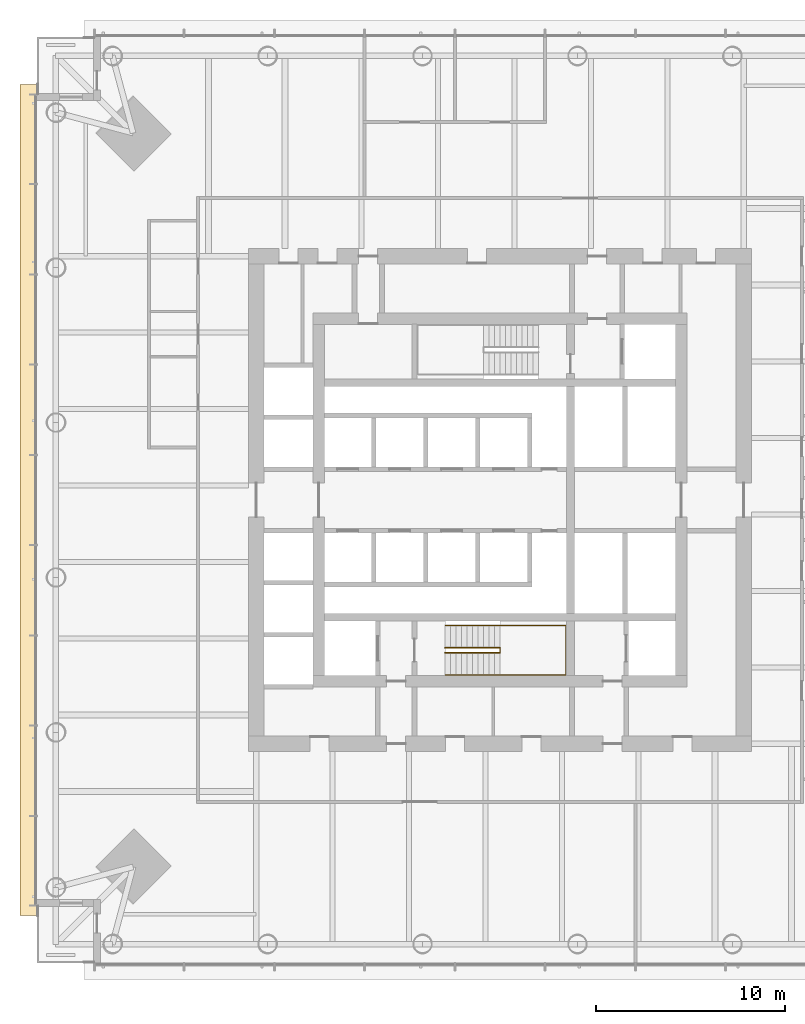
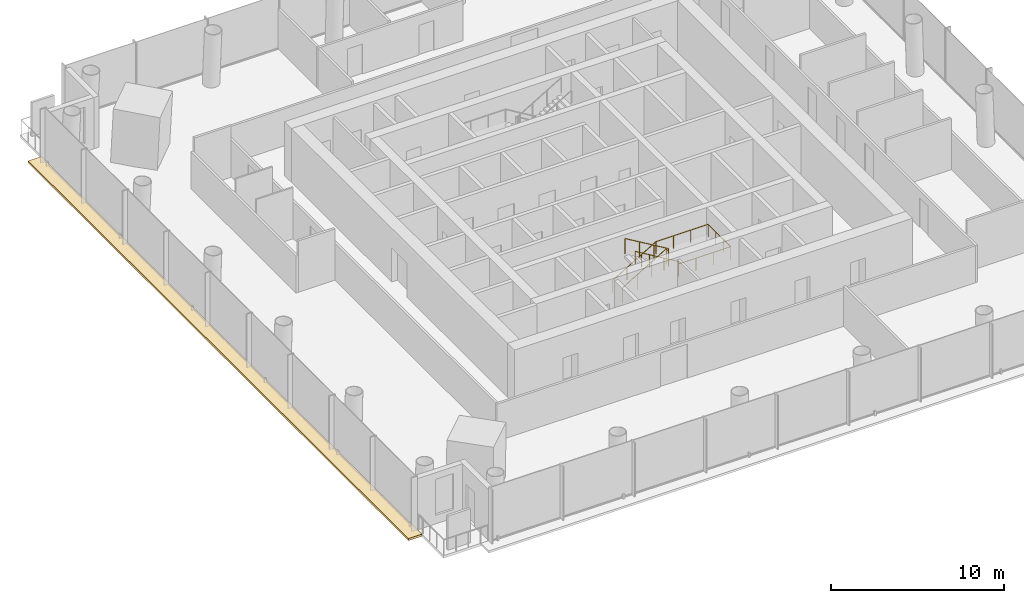
# One storey, part 23 of 26: 2 railings, 1 covering.
"""IFC4 building model written with IfcOpenShell, lengths in metres."""

from ifc_helpers import new_model, si_unit, direction, frame, origin, origin_2d, place, context, subcontext, project, spatial, polyline, circle, outline, extrude, material, layer, layer_set, type_object, element, save


model = new_model("IFC4")

# Units and contexts
model_context = context("Model", 3, precision=1e-05, world=origin(), true_north=direction((0.0, 1.0)))
body_context = subcontext(model_context, "Body", "Model", "MODEL_VIEW")
ifc_project = project(units=[si_unit("LENGTHUNIT", "METRE"), si_unit("AREAUNIT", "SQUARE_METRE"), si_unit("VOLUMEUNIT", "CUBIC_METRE"), si_unit("PLANEANGLEUNIT", "RADIAN"), si_unit("MASSUNIT", "GRAM", prefix="KILO")], contexts=[model_context])

# Site, building, storey
site_placement = place(None, origin())
site = spatial("IfcSite", under=ifc_project, at=site_placement, CompositionType="ELEMENT")
building_placement = place(site_placement, origin())
building = spatial("IfcBuilding", under=site, at=building_placement, Name="Ostroluk Exchange", CompositionType="ELEMENT")
storey_placement = place(building_placement, frame((0.0, 0.0, 36.199951171875)))
storey = spatial("IfcBuildingStorey", under=building, at=storey_placement, Name="L08", CompositionType="ELEMENT", Elevation=36.199951171875)

# Covering
ifc_material_1 = material(Name="Insulated steel roof deck with membrane, laid to falls, aluminium coping", Category="steel")
ifc_layer = layer(ifc_material_1, 0.14990234375)
ifc_layer_set = layer_set([ifc_layer], Name="Setback maintenance roof")
covering_type = type_object("IfcCoveringType", Name="Setback maintenance roof", PredefinedType="ROOFING", material=ifc_layer_set)
covering_placement = place(storey_placement, frame((0.0, 0.0, -0.14990234375)))
element("IfcCovering", 1, at=covering_placement, inside=storey, type_object=covering_type, Name="Maintenance roof, setback L08 west", PredefinedType="ROOFING", context=body_context, shape_type="SweptSolid", body=[
    extrude(outline(polyline([(19.60009765625, 68.0), (20.5, 68.0), (20.5, 24.0), (19.60009765625, 24.0), (19.60009765625, 68.0)])), origin(), (0.0, 0.0, 1.0), 0.14990234375),
])

# Railings
ifc_material_2 = material(Name="Steel S355", Category="steel")
railing_type_1 = type_object("IfcRailingType", Name="Stair guard 1100", PredefinedType="GUARDRAIL", material=ifc_material_2)
railing_1_placement = place(storey_placement, frame((42.10009765625, 38.179931640625, 0.1728515625)))
element("IfcRailing", 2, at=railing_1_placement, inside=storey, type_object=railing_type_1, Name="Stair T1-S1 guard L08", PredefinedType="GUARDRAIL", context=body_context, shape_type="SweptSolid", body=[
    extrude(circle(Radius=0.02392578125, at=origin_2d()), frame((0.0, 0.0, 1.076171875), z_axis=(0.859141464434, 0.0, 0.511738159696), x_axis=(0.0, 1.0, 0.0)), (0.0, 0.0, 1.0), 3.375244140625),
    extrude(circle(Radius=0.02392578125, at=origin_2d()), frame((2.89990234375, 0.0, 2.80322265625), z_axis=(0.0, -1.0, 0.0), x_axis=(1.0, 0.0, 0.0)), (0.0, 0.0, 1.0), 0.260009765625),
    extrude(circle(Radius=0.02392578125, at=origin_2d()), frame((2.89990234375, -0.260009765625, 2.80322265625), z_axis=(0.0, 0.0, 1.0), x_axis=(1.0, 0.0, 0.0)), (0.0, 0.0, 1.0), 0.172607421875),
    extrude(circle(Radius=0.02392578125, at=origin_2d()), frame((2.89990234375, -0.260009765625, 2.97607421875), z_axis=(-0.859141464434, 0.0, 0.511738159696), x_axis=(0.0, -1.0, 0.0)), (0.0, 0.0, 1.0), 3.375244140625),
    extrude(circle(Radius=0.02099609375, at=origin_2d()), origin(), (0.0, 0.0, 1.0), 1.052001953125),
    extrude(circle(Radius=0.02099609375, at=origin_2d()), frame((0.966552734375, 0.0, 0.57568359375)), (0.0, 0.0, 1.0), 1.052001953125),
    extrude(circle(Radius=0.02099609375, at=origin_2d()), frame((1.933349609375, 0.0, 1.151611328125)), (0.0, 0.0, 1.0), 1.052001953125),
    extrude(circle(Radius=0.02099609375, at=origin_2d()), frame((2.89990234375, 0.0, 1.727294921875)), (0.0, 0.0, 1.0), 1.052001953125),
    extrude(circle(Radius=0.02099609375, at=origin_2d()), frame((2.89990234375, -0.260009765625, 1.727294921875)), (0.0, 0.0, 1.0), 1.052001953125),
    extrude(circle(Radius=0.02099609375, at=origin_2d()), frame((2.89990234375, -0.260009765625, 1.89990234375)), (0.0, 0.0, 1.0), 1.052001953125),
    extrude(circle(Radius=0.02099609375, at=origin_2d()), frame((1.933349609375, -0.260009765625, 2.4755859375)), (0.0, 0.0, 1.0), 1.052001953125),
    extrude(circle(Radius=0.02099609375, at=origin_2d()), frame((0.966552734375, -0.260009765625, 3.051513671875)), (0.0, 0.0, 1.0), 1.052001953125),
    extrude(circle(Radius=0.02099609375, at=origin_2d()), frame((0.0, -0.260009765625, 3.627197265625)), (0.0, 0.0, 1.0), 1.052001953125),
])
ifc_material_3 = material(Name="Stainless steel", Category="steel")
railing_type_2 = type_object("IfcRailingType", Name="Stair handrail 900", PredefinedType="HANDRAIL", material=ifc_material_3)
railing_2_placement = place(storey_placement, frame((42.10009765625, 39.35009765625, 0.1728515625)))
element("IfcRailing", 3, at=railing_2_placement, inside=storey, type_object=railing_type_2, Name="Stair T1-S1 handrail L08", PredefinedType="HANDRAIL", context=body_context, shape_type="SweptSolid", body=[
    extrude(circle(Radius=0.02392578125, at=origin_2d()), frame((0.0, 0.0, 0.8759765625), z_axis=(0.859141464434, 0.0, 0.511738159696), x_axis=(0.0, 1.0, 0.0)), (0.0, 0.0, 1.0), 3.375244140625),
    extrude(circle(Radius=0.02392578125, at=origin_2d()), frame((2.89990234375, 0.0, 2.60302734375), z_axis=(1.0, 0.0, 0.0), x_axis=(0.0, 1.0, 0.0)), (0.0, 0.0, 1.0), 3.47998046875),
    extrude(circle(Radius=0.02392578125, at=origin_2d()), frame((6.3798828125, 0.0, 2.60302734375), z_axis=(0.0, -1.0, 0.0), x_axis=(1.0, 0.0, 0.0)), (0.0, 0.0, 1.0), 2.60009765625),
    extrude(circle(Radius=0.02392578125, at=origin_2d()), frame((6.3798828125, -2.60009765625, 2.60302734375), z_axis=(-1.0, 0.0, 0.0), x_axis=(0.0, -1.0, 0.0)), (0.0, 0.0, 1.0), 3.47998046875),
    extrude(circle(Radius=0.02392578125, at=origin_2d()), frame((2.89990234375, -2.60009765625, 2.60302734375), z_axis=(0.0, 0.0, 1.0), x_axis=(1.0, 0.0, 0.0)), (0.0, 0.0, 1.0), 0.172607421875),
    extrude(circle(Radius=0.02392578125, at=origin_2d()), frame((2.89990234375, -2.60009765625, 2.77587890625), z_axis=(-0.859141464434, 0.0, 0.511738159696), x_axis=(0.0, -1.0, 0.0)), (0.0, 0.0, 1.0), 3.375244140625),
    extrude(circle(Radius=0.02099609375, at=origin_2d()), origin(), (0.0, 0.0, 1.0), 0.851806640625),
    extrude(circle(Radius=0.02099609375, at=origin_2d()), frame((0.966552734375, 0.0, 0.57568359375)), (0.0, 0.0, 1.0), 0.851806640625),
    extrude(circle(Radius=0.02099609375, at=origin_2d()), frame((1.933349609375, 0.0, 1.151611328125)), (0.0, 0.0, 1.0), 0.851806640625),
    extrude(circle(Radius=0.02099609375, at=origin_2d()), frame((2.89990234375, 0.0, 1.727294921875)), (0.0, 0.0, 1.0), 0.851806640625),
    extrude(circle(Radius=0.02099609375, at=origin_2d()), frame((4.059814453125, 0.0, 1.727294921875)), (0.0, 0.0, 1.0), 0.851806640625),
    extrude(circle(Radius=0.02099609375, at=origin_2d()), frame((5.219970703125, 0.0, 1.727294921875)), (0.0, 0.0, 1.0), 0.851806640625),
    extrude(circle(Radius=0.02099609375, at=origin_2d()), frame((6.3798828125, 0.0, 1.727294921875)), (0.0, 0.0, 1.0), 0.851806640625),
    extrude(circle(Radius=0.02099609375, at=origin_2d()), frame((6.3798828125, -0.86669921875, 1.727294921875)), (0.0, 0.0, 1.0), 0.851806640625),
    extrude(circle(Radius=0.02099609375, at=origin_2d()), frame((6.3798828125, -1.7333984375, 1.727294921875)), (0.0, 0.0, 1.0), 0.851806640625),
    extrude(circle(Radius=0.02099609375, at=origin_2d()), frame((6.3798828125, -2.60009765625, 1.727294921875)), (0.0, 0.0, 1.0), 0.851806640625),
    extrude(circle(Radius=0.02099609375, at=origin_2d()), frame((5.219970703125, -2.60009765625, 1.727294921875)), (0.0, 0.0, 1.0), 0.851806640625),
    extrude(circle(Radius=0.02099609375, at=origin_2d()), frame((4.059814453125, -2.60009765625, 1.727294921875)), (0.0, 0.0, 1.0), 0.851806640625),
    extrude(circle(Radius=0.02099609375, at=origin_2d()), frame((2.89990234375, -2.60009765625, 1.727294921875)), (0.0, 0.0, 1.0), 0.851806640625),
    extrude(circle(Radius=0.02099609375, at=origin_2d()), frame((2.89990234375, -2.60009765625, 1.89990234375)), (0.0, 0.0, 1.0), 0.851806640625),
    extrude(circle(Radius=0.02099609375, at=origin_2d()), frame((1.933349609375, -2.60009765625, 2.4755859375)), (0.0, 0.0, 1.0), 0.851806640625),
    extrude(circle(Radius=0.02099609375, at=origin_2d()), frame((0.966552734375, -2.60009765625, 3.051513671875)), (0.0, 0.0, 1.0), 0.851806640625),
    extrude(circle(Radius=0.02099609375, at=origin_2d()), frame((0.0, -2.60009765625, 3.627197265625)), (0.0, 0.0, 1.0), 0.851806640625),
])

save(model, "model.ifc")
